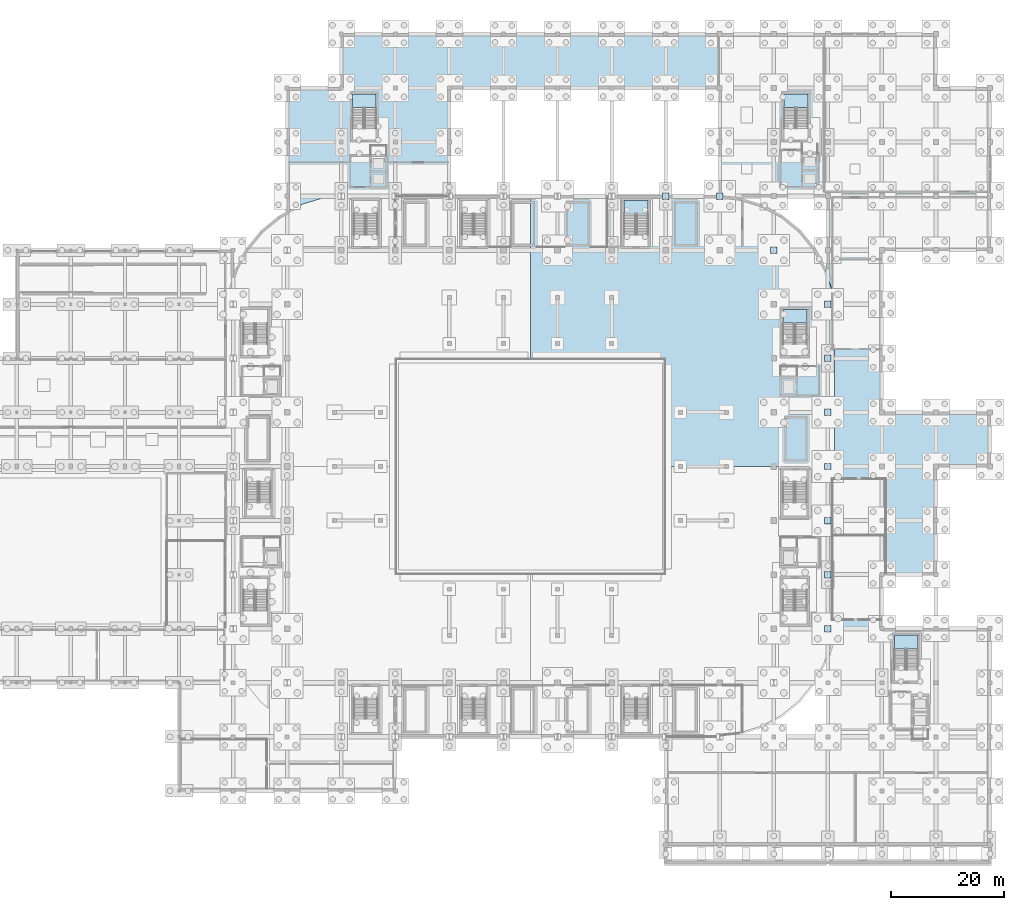
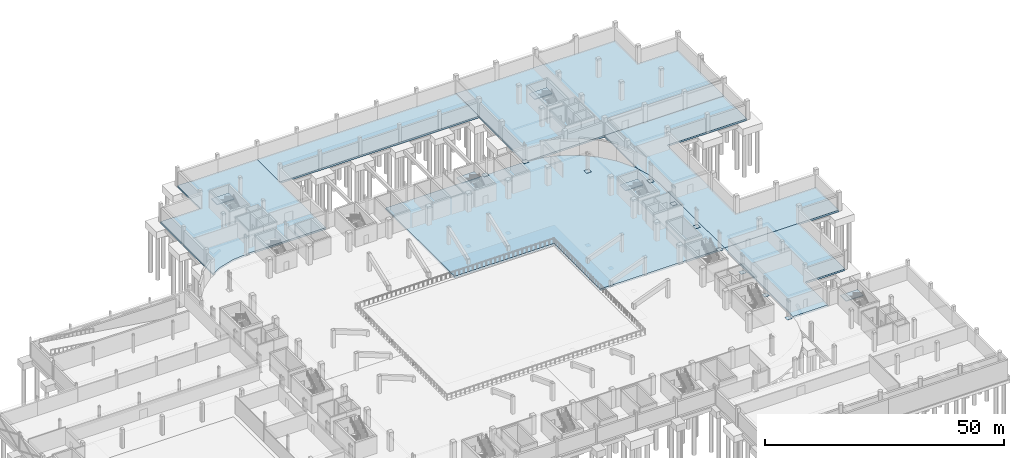
# One storey, part 23 of 67: 11 slabs, 10 plates, 5 elements without a shape of their own.
"""IFC4 building model written with IfcOpenShell, lengths in metres."""

import ifcopenshell
import ifcopenshell.guid

model = None  # the IFC model being written
_history = None  # IfcOwnerHistory: only IFC2X3 demands one
_inside = {}  # id of a spatial element -> (the spatial element, [elements in it])
_under = {}  # id of a project, library or spatial element -> (it, [spatial elements below it])
_declared = {}  # id of a project -> (the project, [libraries it declares])
_typed = {}  # id of a type object -> (the type object, [elements of that type])
_made_of = {}  # id of a material, layer set ... -> (it, [elements and type objects made of it])


def new_model(schema):
    """Start an empty IFC model of exactly this schema.

    Asked for "IFC4X3", IfcOpenShell would pick the latest addendum, in which some entities
    have other attributes; the version numbers below select the first issue.
    IFC2X3 requires an IfcOwnerHistory on every rooted entity: one is made here for all.
    """
    global model, _history
    if schema == "IFC4X3":
        model = ifcopenshell.file(schema_version=(4, 3, 0, 0))
    else:
        model = ifcopenshell.file(schema=schema)
    _inside.clear()
    _under.clear()
    _declared.clear()
    _typed.clear()
    _made_of.clear()
    _history = None
    if model.schema == "IFC2X3":
        org = make("IfcOrganization", Name="unknown")
        user = make(
            "IfcPersonAndOrganization",
            ThePerson=make("IfcPerson", FamilyName="unknown"),
            TheOrganization=org,
        )
        app = make(
            "IfcApplication",
            ApplicationDeveloper=org,
            Version="unknown",
            ApplicationFullName="unknown",
            ApplicationIdentifier="unknown",
        )
        _history = make(
            "IfcOwnerHistory",
            OwningUser=user,
            OwningApplication=app,
            ChangeAction="ADDED",
            CreationDate=0,
        )
    return model


def make(cls, **values):
    """One entity of the class cls with the attributes given. An attribute that is None is left unset."""
    return model.create_entity(
        cls, **{name: value for name, value in values.items() if value is not None}
    )


def rooted(cls, **values):
    """An entity with a GlobalId (a new one), such as an element, a storey or a relation."""
    return make(cls, GlobalId=ifcopenshell.guid.new(), OwnerHistory=_history, **values)


def si_unit(unit_type, name, prefix=None):
    """IfcSIUnit, for example si_unit("LENGTHUNIT", "METRE", prefix="MILLI")."""
    return make("IfcSIUnit", UnitType=unit_type, Prefix=prefix, Name=name)


def assignment(units):
    """IfcUnitAssignment: the units of a project."""
    return None if units is None else make("IfcUnitAssignment", Units=units)


def point(xyz):
    """IfcCartesianPoint."""
    return None if xyz is None else make("IfcCartesianPoint", Coordinates=xyz)


def direction(xyz):
    """IfcDirection."""
    return None if xyz is None else make("IfcDirection", DirectionRatios=xyz)


def frame(location, z_axis=None, x_axis=None):
    """IfcAxis2Placement3D, a coordinate frame: its origin and axes. An axis left out is left unset."""
    return make(
        "IfcAxis2Placement3D",
        Location=point(location),
        Axis=direction(z_axis),
        RefDirection=direction(x_axis),
    )


def frame_2d(location, x_axis=None):
    """IfcAxis2Placement2D, a coordinate frame in the plane: its origin and x axis."""
    return make(
        "IfcAxis2Placement2D", Location=point(location), RefDirection=direction(x_axis)
    )


def origin():
    """The frame at (0, 0, 0) with its axes left unset."""
    return frame((0.0, 0.0, 0.0))


def origin_2d():
    """The frame at (0, 0) in the plane with its x axis left unset."""
    return frame_2d((0.0, 0.0))


def place(relative_to, where):
    """IfcLocalPlacement: puts the frame where relative to a parent placement (None: the world)."""
    return make(
        "IfcLocalPlacement", PlacementRelTo=relative_to, RelativePlacement=where
    )


def context(
    kind, dimensions, precision=None, world=None, true_north=None, identifier=None
):
    """IfcGeometricRepresentationContext, for example the 3D "Model" context."""
    return make(
        "IfcGeometricRepresentationContext",
        ContextIdentifier=identifier,
        ContextType=kind,
        CoordinateSpaceDimension=dimensions,
        Precision=precision,
        WorldCoordinateSystem=world,
        TrueNorth=true_north,
    )


def subcontext(parent, identifier, kind, view, scale=None):
    """IfcGeometricRepresentationSubContext, for example "Body" below "Model"."""
    return make(
        "IfcGeometricRepresentationSubContext",
        ContextIdentifier=identifier,
        ContextType=kind,
        ParentContext=parent,
        TargetScale=scale,
        TargetView=view,
    )


def project(units=None, contexts=None):
    """IfcProject with its units and contexts."""
    return rooted(
        "IfcProject",
        Name="project",
        RepresentationContexts=contexts,
        UnitsInContext=assignment(units),
    )


def spatial(cls, under=None, at=None, **own):
    """A site, building, storey or space (cls), placed at a placement, below another one or the project."""
    s = rooted(cls, ObjectPlacement=at, **own)
    if under is not None:
        _under.setdefault(under.id(), (under, []))[1].append(s)
    return s


def polyline(points):
    """IfcPolyline through the points."""
    return make("IfcPolyline", Points=[point(p) for p in points])


def profile(cls, at=None, kind="AREA", **sizes):
    """A parametric profile (cls). Its sizes go by their IFC names, for example OverallWidth=200.0."""
    return make(cls, ProfileType=kind, Position=at, **sizes)


def rectangle(**sizes):
    """IfcRectangleProfileDef."""
    return profile("IfcRectangleProfileDef", **sizes)


def outline(outer, holes=None, kind="AREA"):
    """IfcArbitraryClosedProfileDef: a profile drawn as a closed curve; with holes, ...WithVoids."""
    if holes is None:
        return make("IfcArbitraryClosedProfileDef", ProfileType=kind, OuterCurve=outer)
    return make(
        "IfcArbitraryProfileDefWithVoids",
        ProfileType=kind,
        OuterCurve=outer,
        InnerCurves=holes,
    )


def extrude(swept, where, along, depth):
    """IfcExtrudedAreaSolid: the profile swept, set in the frame where, extruded along a direction by depth."""
    return make(
        "IfcExtrudedAreaSolid",
        SweptArea=swept,
        Position=where,
        ExtrudedDirection=direction(along),
        Depth=depth,
    )


def shape(context_of_items, identifier, shape_type, items):
    """IfcShapeRepresentation: the items that make up one representation, for example the "Body"."""
    return make(
        "IfcShapeRepresentation",
        ContextOfItems=context_of_items,
        RepresentationIdentifier=identifier,
        RepresentationType=shape_type,
        Items=items,
    )


def material(Name=None, Category=None):
    """IfcMaterial."""
    return make("IfcMaterial", Name=Name, Category=Category)


def layer(
    of_material, thickness, ventilated=None, Name=None, Category=None, Priority=None
):
    """IfcMaterialLayer: one layer of a wall or slab, of a material (None: an air gap)."""
    return make(
        "IfcMaterialLayer",
        Material=of_material,
        LayerThickness=thickness,
        IsVentilated=ventilated,
        Name=Name,
        Category=Category,
        Priority=Priority,
    )


def layer_set(layers, Name=None):
    """IfcMaterialLayerSet."""
    return make("IfcMaterialLayerSet", MaterialLayers=layers, LayerSetName=Name)


def made_of(thing, what):
    """Note that an element or type object is made of a material, layer set ...; save() writes the relation."""
    if what is not None:
        _made_of.setdefault(what.id(), (what, []))[1].append(thing)
    return thing


def type_object(cls, material=None, **own):
    """A type object (cls), such as IfcWallType, which elements share."""
    return made_of(rooted(cls, **own), material)


def element(
    cls,
    number,
    at=None,
    inside=None,
    cuts=None,
    type_object=None,
    material=None,
    context=None,
    identifier="Body",
    shape_type=None,
    held_by="IfcProductDefinitionShape",
    body=None,
    shapes=None,
    **own,
):
    """One element of the class cls, such as IfcWall. Its Tag is "e" and its number.

    at: its placement. inside: the storey or other place that contains it. cuts: it is an
    opening in that element (IfcRelVoidsElement). A single representation is given by context,
    identifier, shape_type and body (its items); several are given by shapes. held_by: the class
    of the entity that holds the representations. save() writes the other relations.
    """
    e = rooted(cls, Tag="e%d" % number, ObjectPlacement=at, **own)
    if body is not None:
        shapes = [shape(context, identifier, shape_type, body)]
    if shapes is not None:
        e.Representation = make(held_by, Representations=shapes)
    if inside is not None:
        _inside.setdefault(inside.id(), (inside, []))[1].append(e)
    if cuts is not None:
        rooted(
            "IfcRelVoidsElement", RelatingBuildingElement=cuts, RelatedOpeningElement=e
        )
    if type_object is not None:
        _typed.setdefault(type_object.id(), (type_object, []))[1].append(e)
    return made_of(e, material)


def aggregate(whole, parts):
    """IfcRelAggregates: a whole, such as a stair, and the parts it consists of."""
    return rooted("IfcRelAggregates", RelatingObject=whole, RelatedObjects=parts)


def save(model, path):
    """Write the relations noted so far, then the file.

    IfcRelAggregates (storeys below a building ...), IfcRelContainedInSpatialStructure (elements
    in a storey), IfcRelDefinesByType, IfcRelAssociatesMaterial and IfcRelDeclares: one each for
    every whole, place, type object, material and project.
    """
    for whole, parts in _under.values():
        aggregate(whole, parts)
    for where, things in _inside.values():
        rooted(
            "IfcRelContainedInSpatialStructure",
            RelatedElements=things,
            RelatingStructure=where,
        )
    for kind, things in _typed.values():
        rooted("IfcRelDefinesByType", RelatedObjects=things, RelatingType=kind)
    for what, things in _made_of.values():
        rooted("IfcRelAssociatesMaterial", RelatedObjects=things, RelatingMaterial=what)
    for by, libraries in _declared.values():
        rooted("IfcRelDeclares", RelatingContext=by, RelatedDefinitions=libraries)
    model.write(path)


model = new_model("IFC4")

# Units and contexts
model_context = context("Model", 3, precision=1e-05, world=origin(), true_north=direction((0.0, 1.0)))
body_context = subcontext(model_context, "Body", "Model", "MODEL_VIEW")
ifc_project = project(units=[si_unit("LENGTHUNIT", "METRE"), si_unit("AREAUNIT", "SQUARE_METRE"), si_unit("VOLUMEUNIT", "CUBIC_METRE"), si_unit("PLANEANGLEUNIT", "RADIAN"), si_unit("MASSUNIT", "GRAM", prefix="KILO")], contexts=[model_context])

# Site, building, storey
site_placement = place(None, origin())
site = spatial("IfcSite", under=ifc_project, at=site_placement, CompositionType="ELEMENT")
building_placement = place(site_placement, origin())
building = spatial("IfcBuilding", under=site, at=building_placement, Name="Caelomonte Colonnade Arena", CompositionType="ELEMENT")
storey_placement = place(building_placement, frame((0.0, 0.0, -4.800048828125)))
storey = spatial("IfcBuildingStorey", under=building, at=storey_placement, Name="B1", CompositionType="ELEMENT", Elevation=-4.800048828125)

# Stair, slab
ifc_material_1 = material(Name="Concrete C40/50", Category="concrete")
stair_type_1 = type_object("IfcStairType", Name="INT-ST-WING48", PredefinedType="HALF_TURN_STAIR", material=ifc_material_1)
stair_1_placement = place(storey_placement, origin())
stair_1 = element("IfcStair", 1, at=stair_1_placement, inside=storey, type_object=stair_type_1, Name="B1 Core C3 exit stair ST-03", PredefinedType="HALF_TURN_STAIR")
ifc_layer_1 = layer(ifc_material_1, 0.199951171875)
ifc_layer_set_1 = layer_set([ifc_layer_1], Name="Concrete C40/50")
slab_type_1 = type_object("IfcSlabType", Name="INT-SL-LAND20", PredefinedType="LANDING", material=ifc_layer_set_1)
slab_1_placement = place(storey_placement, frame((0.0, 0.0, 2.199951171875)))
slab_1 = element("IfcSlab", 2, at=slab_1_placement, type_object=slab_type_1, Name="ST-03 landing 1", PredefinedType="LANDING", context=body_context, shape_type="SweptSolid", body=[
    extrude(outline(polyline([(159.5, 92.655029296875), (159.5, 95.050048828125), (155.199951171875, 95.050048828125), (155.199951171875, 92.655029296875), (159.5, 92.655029296875)])), origin(), (0.0, 0.0, 1.0), 0.2001953125),
])
aggregate(stair_1, [slab_1])

stair_2_placement = place(storey_placement, origin())
stair_2 = element("IfcStair", 3, at=stair_2_placement, inside=storey, type_object=stair_type_1, Name="B1 Core C5 exit stair ST-05", PredefinedType="HALF_TURN_STAIR")
slab_2_placement = place(storey_placement, frame((0.0, 0.0, 2.199951171875)))
slab_2 = element("IfcSlab", 4, at=slab_2_placement, type_object=slab_type_1, Name="ST-05 landing 1", PredefinedType="LANDING", context=body_context, shape_type="SweptSolid", body=[
    extrude(outline(polyline([(179.199951171875, 34.804931640625), (179.199951171875, 37.25), (175.0, 37.25), (175.0, 34.804931640625), (179.199951171875, 34.804931640625)])), origin(), (0.0, 0.0, 1.0), 0.2001953125),
])
aggregate(stair_2, [slab_2])

stair_3_placement = place(storey_placement, origin())
stair_3 = element("IfcStair", 5, at=stair_3_placement, inside=storey, type_object=stair_type_1, Name="B1 Core C6 exit stair ST-06", PredefinedType="HALF_TURN_STAIR")
slab_3_placement = place(storey_placement, frame((0.0, 0.0, 2.199951171875)))
slab_3 = element("IfcSlab", 6, at=slab_3_placement, type_object=slab_type_1, Name="ST-06 landing 1", PredefinedType="LANDING", context=body_context, shape_type="SweptSolid", body=[
    extrude(outline(polyline([(159.699951171875, 130.955078125), (159.699951171875, 133.35009765625), (155.39990234375, 133.35009765625), (155.39990234375, 130.955078125), (159.699951171875, 130.955078125)])), origin(), (0.0, 0.0, 1.0), 0.2001953125),
])
aggregate(stair_3, [slab_3])

stair_4_placement = place(storey_placement, origin())
stair_4 = element("IfcStair", 7, at=stair_4_placement, inside=storey, type_object=stair_type_1, Name="B1 Core C7 exit stair ST-07", PredefinedType="HALF_TURN_STAIR")
slab_4_placement = place(storey_placement, frame((0.0, 0.0, 2.199951171875)))
slab_4 = element("IfcSlab", 8, at=slab_4_placement, type_object=slab_type_1, Name="ST-07 landing 1", PredefinedType="LANDING", context=body_context, shape_type="SweptSolid", body=[
    extrude(outline(polyline([(83.0, 130.905029296875), (83.0, 133.35009765625), (78.800048828125, 133.35009765625), (78.800048828125, 130.905029296875), (83.0, 130.905029296875)])), origin(), (0.0, 0.0, 1.0), 0.2001953125),
])
aggregate(stair_4, [slab_4])

stair_type_2 = type_object("IfcStairType", Name="INT-ST-CORE48", PredefinedType="HALF_TURN_STAIR", material=ifc_material_1)
stair_5_placement = place(storey_placement, origin())
stair_5 = element("IfcStair", 9, at=stair_5_placement, inside=storey, type_object=stair_type_2, Name="B1 Protected exit stair ST-16", PredefinedType="HALF_TURN_STAIR")
slab_5_placement = place(storey_placement, frame((0.0, 0.0, 2.199951171875)))
slab_5 = element("IfcSlab", 10, at=slab_5_placement, type_object=slab_type_1, Name="ST-16 landing 1", PredefinedType="LANDING", context=body_context, shape_type="SweptSolid", body=[
    extrude(outline(polyline([(131.300048828125, 112.054931640625), (131.300048828125, 114.449951171875), (127.0, 114.449951171875), (127.0, 112.054931640625), (131.300048828125, 112.054931640625)])), origin(), (0.0, 0.0, 1.0), 0.2001953125),
])
aggregate(stair_5, [slab_5])

# Plates
ifc_material_2 = material(Name="Steel ASTM A572 Grade 50", Category="steel")
ifc_layer_2 = layer(ifc_material_2, 0.050048828125)
ifc_layer_set_2 = layer_set([ifc_layer_2], Name="Steel ASTM A572 Grade 50")
plate_type = type_object("IfcPlateType", Name="STR-PL-BP01", PredefinedType="USERDEFINED", material=ifc_layer_set_2)
for number, where, z_axis, x_axis, name in (
    (11, (134.39990234375, 115.199951171875, 0.0), (0.0, 0.0, 1.0), (1.0, 0.0, 0.0), "Steel column baseplate (134.4, 115.2)"),
    (12, (144.0, 115.199951171875, 0.0), (0.0, 0.0, 1.0), (1.0, 0.0, 0.0), "Steel column baseplate (144.0, 115.2)"),
    (13, (153.60009765625, 105.60009765625, 0.0), (0.0, 0.0, 1.0), (1.0, 0.0, 0.0), "Steel column baseplate (153.6, 105.6)"),
    (14, (163.199951171875, 38.39990234375, 0.0), (0.0, 0.0, 1.0), (1.0, 0.0, 0.0), "Steel column baseplate (163.2, 38.4)"),
    (15, (163.199951171875, 48.0, 0.0), (0.0, 0.0, 1.0), (1.0, 0.0, 0.0), "Steel column baseplate (163.2, 48.0)"),
    (16, (163.199951171875, 57.60009765625, 0.0), (0.0, 0.0, 1.0), (1.0, 0.0, 0.0), "Steel column baseplate (163.2, 57.6)"),
    (17, (163.199951171875, 67.199951171875, 0.0), (0.0, 0.0, 1.0), (1.0, 0.0, 0.0), "Steel column baseplate (163.2, 67.2)"),
    (18, (163.199951171875, 76.800048828125, 0.0), (0.0, 0.0, 1.0), (1.0, 0.0, 0.0), "Steel column baseplate (163.2, 76.8)"),
    (19, (163.199951171875, 86.39990234375, 0.0), (0.0, 0.0, 1.0), (1.0, 0.0, 0.0), "Steel column baseplate (163.2, 86.4)"),
    (20, (163.199951171875, 96.0, 0.0), (0.0, 0.0, 1.0), (1.0, 0.0, 0.0), "Steel column baseplate (163.2, 96.0)"),
):
    element("IfcPlate", number, at=place(storey_placement, frame(where, z_axis=z_axis, x_axis=x_axis)), inside=storey, type_object=plate_type, Name=name, ObjectType="GUSSET PLATE", PredefinedType="USERDEFINED", context=body_context, shape_type="SweptSolid", body=[
        extrude(rectangle(XDim=1.14990234375, YDim=1.14990234375, at=origin_2d()), origin(), (0.0, 0.0, 1.0), 0.050048828125),
    ])

# Slabs
ifc_layer_3 = layer(ifc_material_1, 0.449951171875)
ifc_layer_set_3 = layer_set([ifc_layer_3], Name="Concrete C40/50")
slab_type_2 = type_object("IfcSlabType", Name="STR-SL-BASE45", PredefinedType="BASESLAB", material=ifc_layer_set_3)
slab_6_placement = place(storey_placement, frame((0.0, 0.0, -0.449951171875)))
element("IfcSlab", 21, at=slab_6_placement, inside=storey, type_object=slab_type_2, Name="B1 structural baseslab slab SL-B1-V1-NE", PredefinedType="BASESLAB", context=body_context, shape_type="SweptSolid", body=[
    extrude(outline(polyline([(143.39990234375, 115.199951171875), (110.39990234375, 115.199951171875), (110.39990234375, 86.39990234375), (134.39990234375, 86.39990234375), (134.39990234375, 67.199951171875), (164.39990234375, 67.199951171875), (164.39990234375, 94.199951171875), (163.99658203125, 98.296875), (162.801513671875, 102.236328125), (160.86083984375, 105.866943359375), (158.249267578125, 109.04931640625), (155.06689453125, 111.660888671875), (151.436279296875, 113.6015625), (147.496826171875, 114.79638671875), (143.39990234375, 115.199951171875)])), origin(), (0.0, 0.0, 1.0), 0.449951171875),
])
slab_7_placement = place(storey_placement, frame((0.0, 0.0, -0.449951171875)))
element("IfcSlab", 22, at=slab_7_placement, inside=storey, type_object=slab_type_2, Name="B1 structural baseslab slab SL-B1-V4-NW", PredefinedType="BASESLAB", context=body_context, shape_type="SweptSolid", body=[
    extrude(outline(polyline([(96.0, 115.199951171875), (96.0, 144.0), (76.800048828125, 144.0), (76.800048828125, 134.39990234375), (67.199951171875, 134.39990234375), (67.199951171875, 112.445068359375), (69.363525390625, 113.6015625), (73.302978515625, 114.79638671875), (77.39990234375, 115.199951171875), (96.0, 115.199951171875)])), origin(), (0.0, 0.0, 1.0), 0.449951171875),
])
slab_8_placement = place(storey_placement, frame((0.0, 0.0, -0.449951171875)))
element("IfcSlab", 23, at=slab_8_placement, inside=storey, type_object=slab_type_2, Name="B1 structural baseslab slab SL-B1-V4-N", PredefinedType="BASESLAB", context=body_context, shape_type="SweptSolid", body=[
    extrude(outline(polyline([(96.0, 134.39990234375), (144.0, 134.39990234375), (144.0, 144.0), (96.0, 144.0), (96.0, 134.39990234375)])), origin(), (0.0, 0.0, 1.0), 0.449951171875),
])
slab_9_placement = place(storey_placement, frame((0.0, 0.0, -0.449951171875)))
element("IfcSlab", 24, at=slab_9_placement, inside=storey, type_object=slab_type_2, Name="B1 structural baseslab slab SL-B1-V4-NE", PredefinedType="BASESLAB", context=body_context, shape_type="SweptSolid", body=[
    extrude(outline(polyline([(144.0, 115.199951171875), (192.0, 115.199951171875), (192.0, 134.39990234375), (182.39990234375, 134.39990234375), (182.39990234375, 144.0), (144.0, 144.0), (144.0, 115.199951171875)])), origin(), (0.0, 0.0, 1.0), 0.449951171875),
])
slab_10_placement = place(storey_placement, frame((0.0, 0.0, -0.449951171875)))
element("IfcSlab", 25, at=slab_10_placement, inside=storey, type_object=slab_type_2, Name="B1 structural baseslab slab SL-B1-V4-E", PredefinedType="BASESLAB", context=body_context, shape_type="SweptSolid", body=[
    extrude(outline(polyline([(164.39990234375, 67.199951171875), (192.0, 67.199951171875), (192.0, 76.800048828125), (172.800048828125, 76.800048828125), (172.800048828125, 105.60009765625), (192.0, 105.60009765625), (192.0, 115.199951171875), (163.199951171875, 115.199951171875), (163.199951171875, 100.922607421875), (163.99658203125, 98.296875), (164.39990234375, 94.199951171875), (164.39990234375, 67.199951171875)])), origin(), (0.0, 0.0, 1.0), 0.449951171875),
])
slab_11_placement = place(storey_placement, frame((0.0, 0.0, -0.449951171875)))
element("IfcSlab", 26, at=slab_11_placement, inside=storey, type_object=slab_type_2, Name="B1 structural baseslab slab SL-B1-V4-LINK", PredefinedType="BASESLAB", context=body_context, shape_type="SweptSolid", body=[
    extrude(outline(polyline([(182.39990234375, 67.199951171875), (164.39990234375, 67.199951171875), (164.39990234375, 40.199951171875), (164.22265625, 38.39990234375), (172.800048828125, 38.39990234375), (172.800048828125, 48.0), (182.39990234375, 48.0), (182.39990234375, 67.199951171875)])), origin(), (0.0, 0.0, 1.0), 0.449951171875),
])

save(model, "model.ifc")
